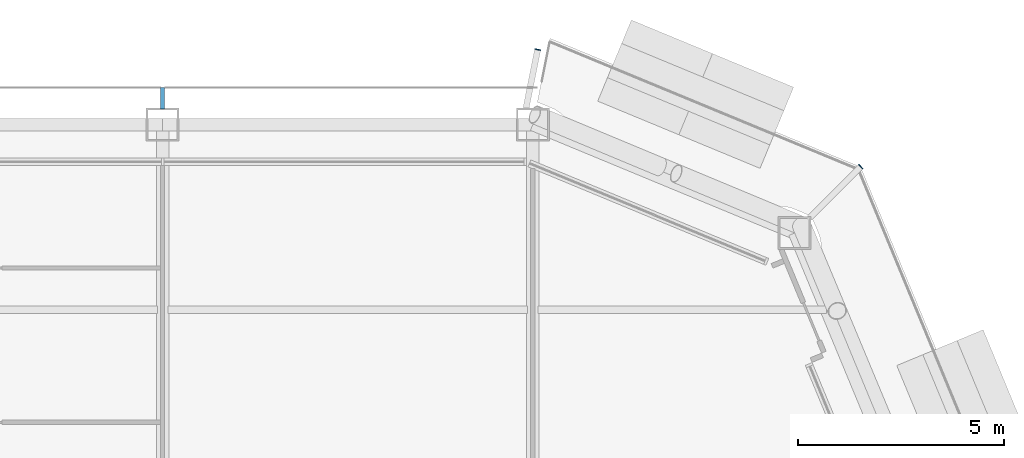
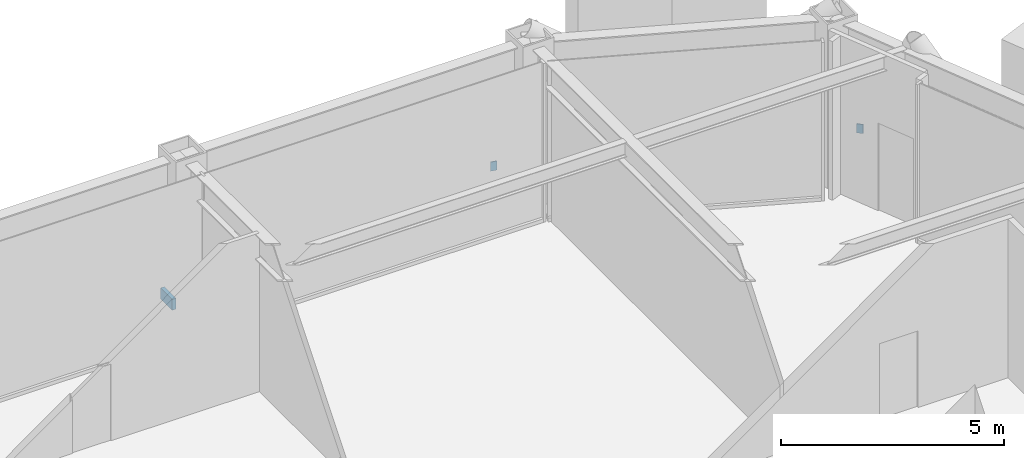
# One storey, part 18 of 23: 3 discrete accessories.
"""IFC4 building model written with IfcOpenShell, lengths in metres."""

from ifc_helpers import new_model, si_unit, direction, frame, origin, origin_2d, place, context, subcontext, project, spatial, rectangle, extrude, material, layer, layer_set, type_object, element, save


model = new_model("IFC4")

# Units and contexts
model_context = context("Model", 3, precision=1e-05, world=origin(), true_north=direction((0.0, 1.0)))
body_context = subcontext(model_context, "Body", "Model", "MODEL_VIEW")
ifc_project = project(units=[si_unit("LENGTHUNIT", "METRE"), si_unit("AREAUNIT", "SQUARE_METRE"), si_unit("VOLUMEUNIT", "CUBIC_METRE"), si_unit("PLANEANGLEUNIT", "RADIAN"), si_unit("MASSUNIT", "GRAM", prefix="KILO")], contexts=[model_context])

# Site, building, storey
site_placement = place(None, origin())
site = spatial("IfcSite", under=ifc_project, at=site_placement, CompositionType="ELEMENT")
building_placement = place(site_placement, origin())
building = spatial("IfcBuilding", under=site, at=building_placement, Name="Siwar Civic Tower", CompositionType="ELEMENT")
storey_placement = place(building_placement, frame((0.0, 0.0, 242.199951171875)))
storey = spatial("IfcBuildingStorey", under=building, at=storey_placement, Name="L52", CompositionType="ELEMENT", Elevation=242.199951171875)

# Discrete accessories
ifc_material_1 = material(Name="Stainless steel 316", Category="steel")
discrete_accessory_type_1 = type_object("IfcDiscreteAccessoryType", Name="ENV-BRACKET", PredefinedType="BRACKET", material=ifc_material_1)
discrete_accessory_placement = place(storey_placement, frame((9.0, 27.639892578125, -0.14990234375), z_axis=(0.0, 0.0, 1.0), x_axis=(0.0, 1.0, 0.0)))
element("IfcDiscreteAccessory", 1, at=discrete_accessory_placement, inside=storey, type_object=discrete_accessory_type_1, Name="Bracket outer skin joint N-01", PredefinedType="BRACKET", context=body_context, shape_type="SweptSolid", body=[
    extrude(rectangle(XDim=0.52001953125, YDim=0.10009765625, at=origin_2d()), origin(), (0.0, 0.0, 1.0), 0.300048828125),
])
ifc_material_2 = material(Name="Steel S355", Category="steel")
ifc_layer = layer(ifc_material_2, 0.02001953125)
ifc_layer_set = layer_set([ifc_layer], Name="Steel S355")
discrete_accessory_type_2 = type_object("IfcDiscreteAccessoryType", Name="STR-END-CAP", PredefinedType="USERDEFINED", material=ifc_layer_set)
for number, where, z_axis, x_axis, name in (
    (2, (25.978271484375, 25.978271484375, -0.39990234375), (0.0, 0.0, 1.0), (0.707106781187, 0.707106781187, 0.0), "End cap plate Balcony cantilever beam NE 2"),
    (3, (18.118408203125, 28.8251953125, -0.39990234375), (0.0, 0.0, 1.0), (0.195090321691, 0.980785280468, 0.0), "End cap plate Balcony cantilever beam NE 3"),
):
    element("IfcDiscreteAccessory", number, at=place(storey_placement, frame(where, z_axis=z_axis, x_axis=x_axis)), inside=storey, type_object=discrete_accessory_type_2, Name=name, ObjectType="END CAP PLATE", PredefinedType="USERDEFINED", context=body_context, shape_type="SweptSolid", body=[
        extrude(rectangle(XDim=0.02001953125, YDim=0.14990234375, at=origin_2d()), origin(), (0.0, 0.0, 1.0), 0.25),
    ])

save(model, "model.ifc")
